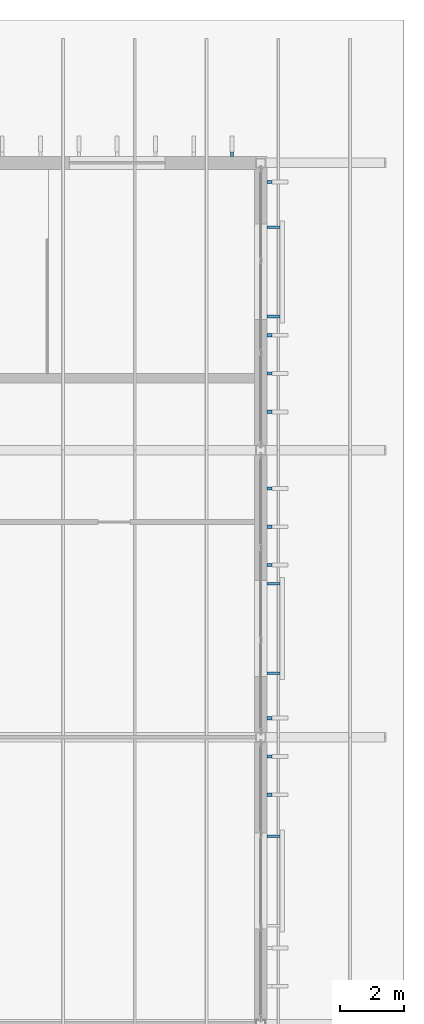
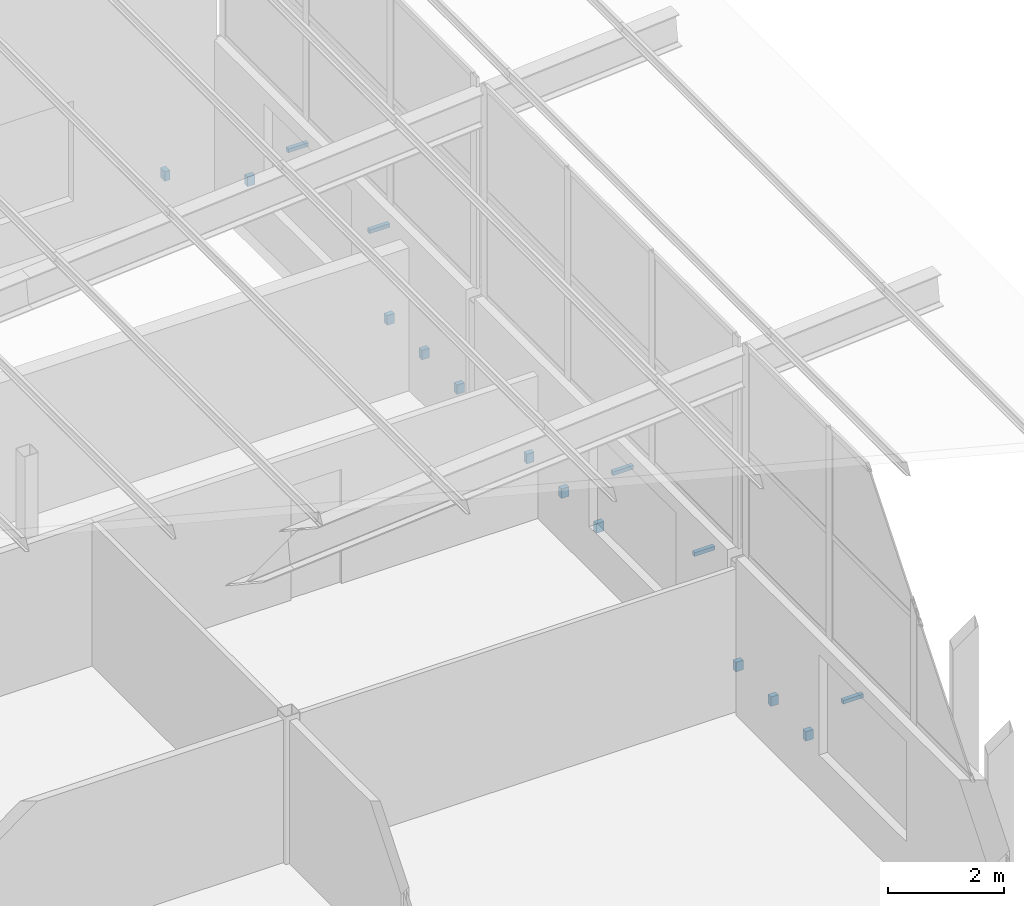
# One storey, part 81 of 85: 16 discrete accessories.
"""IFC4 building model written with IfcOpenShell, lengths in metres."""

from ifc_helpers import new_model, si_unit, direction, frame, origin, origin_2d, place, context, subcontext, project, spatial, rectangle, extrude, material, type_object, element, save


model = new_model("IFC4")

# Units and contexts
model_context = context("Model", 3, precision=1e-05, world=origin(), true_north=direction((0.0, 1.0)))
body_context = subcontext(model_context, "Body", "Model", "MODEL_VIEW")
ifc_project = project(units=[si_unit("LENGTHUNIT", "METRE"), si_unit("AREAUNIT", "SQUARE_METRE"), si_unit("VOLUMEUNIT", "CUBIC_METRE"), si_unit("PLANEANGLEUNIT", "RADIAN"), si_unit("MASSUNIT", "GRAM", prefix="KILO")], contexts=[model_context])

# Site, building, storey
site_placement = place(None, origin())
site = spatial("IfcSite", under=ifc_project, at=site_placement, CompositionType="ELEMENT")
building_placement = place(site_placement, origin())
building = spatial("IfcBuilding", under=site, at=building_placement, Name="Opaline Strait Convention Centre", CompositionType="ELEMENT")
storey_placement = place(building_placement, frame((0.0, 0.0, 17.0)))
storey = spatial("IfcBuildingStorey", under=building, at=storey_placement, Name="L03", CompositionType="ELEMENT", Elevation=17.0)

# Discrete accessories
ifc_material = material(Name="Stainless steel 304", Category="steel")
discrete_accessory_type_1 = type_object("IfcDiscreteAccessoryType", Name="Fin bracket 150 stainless steel", PredefinedType="BRACKET", material=ifc_material)
discrete_accessory_placement = place(storey_placement, frame((359.10009765625, 180.27490234375, 0.35009765625), z_axis=(0.0, 0.0, 1.0), x_axis=(1.0, 0.0, 0.0)))
element("IfcDiscreteAccessory", 1, at=discrete_accessory_placement, inside=storey, type_object=discrete_accessory_type_1, Name="Fin bracket", PredefinedType="BRACKET", context=body_context, shape_type="SweptSolid", body=[
    extrude(rectangle(XDim=0.10009765625, YDim=0.14990234375, at=origin_2d()), origin(), (0.0, 0.0, 1.0), 0.199951171875),
])
for number, where, z_axis, x_axis, name in (
    (2, (360.27490234375, 160.199951171875, 0.35009765625), (0.0, 0.0, 1.0), (1.0, 0.0, 0.0), "Fin bracket"),
    (3, (360.27490234375, 161.39990234375, 0.35009765625), (0.0, 0.0, 1.0), (1.0, 0.0, 0.0), "Fin bracket"),
    (4, (360.27490234375, 162.60009765625, 0.35009765625), (0.0, 0.0, 1.0), (1.0, 0.0, 0.0), "Fin bracket"),
    (5, (360.27490234375, 167.39990234375, 0.35009765625), (0.0, 0.0, 1.0), (1.0, 0.0, 0.0), "Fin bracket"),
    (6, (360.27490234375, 168.60009765625, 0.35009765625), (0.0, 0.0, 1.0), (1.0, 0.0, 0.0), "Fin bracket"),
    (7, (360.27490234375, 169.800048828125, 0.35009765625), (0.0, 0.0, 1.0), (1.0, 0.0, 0.0), "Fin bracket"),
    (8, (360.27490234375, 172.199951171875, 0.35009765625), (0.0, 0.0, 1.0), (1.0, 0.0, 0.0), "Fin bracket"),
    (9, (360.27490234375, 173.39990234375, 0.35009765625), (0.0, 0.0, 1.0), (1.0, 0.0, 0.0), "Fin bracket"),
    (10, (360.27490234375, 174.60009765625, 0.35009765625), (0.0, 0.0, 1.0), (1.0, 0.0, 0.0), "Fin bracket"),
    (11, (360.27490234375, 179.39990234375, 0.35009765625), (0.0, 0.0, 1.0), (1.0, 0.0, 0.0), "Fin bracket"),
):
    element("IfcDiscreteAccessory", number, at=place(storey_placement, frame(where, z_axis=z_axis, x_axis=x_axis)), inside=storey, type_object=discrete_accessory_type_1, Name=name, PredefinedType="BRACKET", context=body_context, shape_type="SweptSolid", body=[
        extrude(rectangle(XDim=0.14990234375, YDim=0.10009765625, at=origin_2d()), origin(), (0.0, 0.0, 1.0), 0.199951171875),
    ])
discrete_accessory_type_2 = type_object("IfcDiscreteAccessoryType", Name="Louvre bracket 400 stainless steel", PredefinedType="BRACKET", material=ifc_material)
for number, where, z_axis, x_axis, name in (
    (12, (360.39990234375, 158.89990234375, 1.909912109375), (0.0, 0.0, 1.0), (1.0, 0.0, 0.0), "Louvre bracket"),
    (13, (360.39990234375, 164.012451171875, 1.909912109375), (0.0, 0.0, 1.0), (1.0, 0.0, 0.0), "Louvre bracket"),
    (14, (360.39990234375, 166.8125, 1.909912109375), (0.0, 0.0, 1.0), (1.0, 0.0, 0.0), "Louvre bracket"),
    (15, (360.39990234375, 175.1875, 1.909912109375), (0.0, 0.0, 1.0), (1.0, 0.0, 0.0), "Louvre bracket"),
    (16, (360.39990234375, 177.987548828125, 1.909912109375), (0.0, 0.0, 1.0), (1.0, 0.0, 0.0), "Louvre bracket"),
):
    element("IfcDiscreteAccessory", number, at=place(storey_placement, frame(where, z_axis=z_axis, x_axis=x_axis)), inside=storey, type_object=discrete_accessory_type_2, Name=name, PredefinedType="BRACKET", context=body_context, shape_type="SweptSolid", body=[
        extrude(rectangle(XDim=0.39990234375, YDim=0.080078125, at=origin_2d()), origin(), (0.0, 0.0, 1.0), 0.080078125),
    ])

save(model, "model.ifc")
